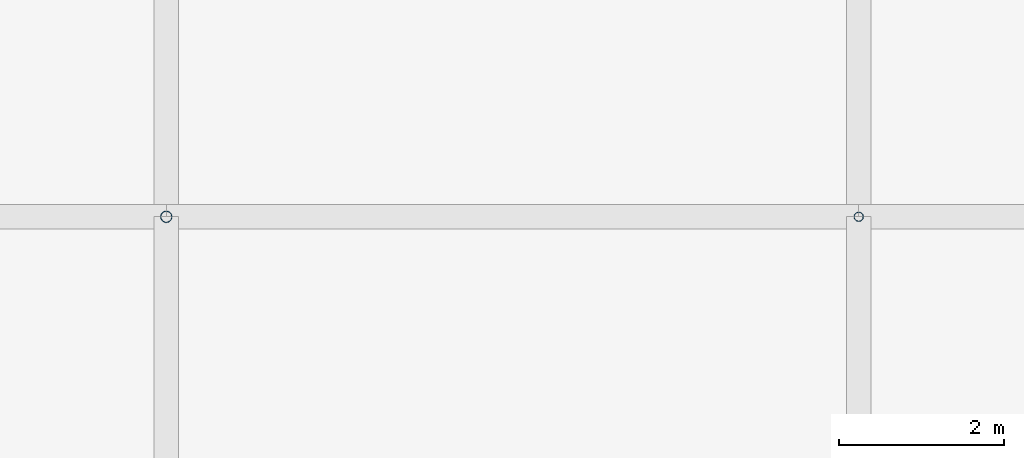
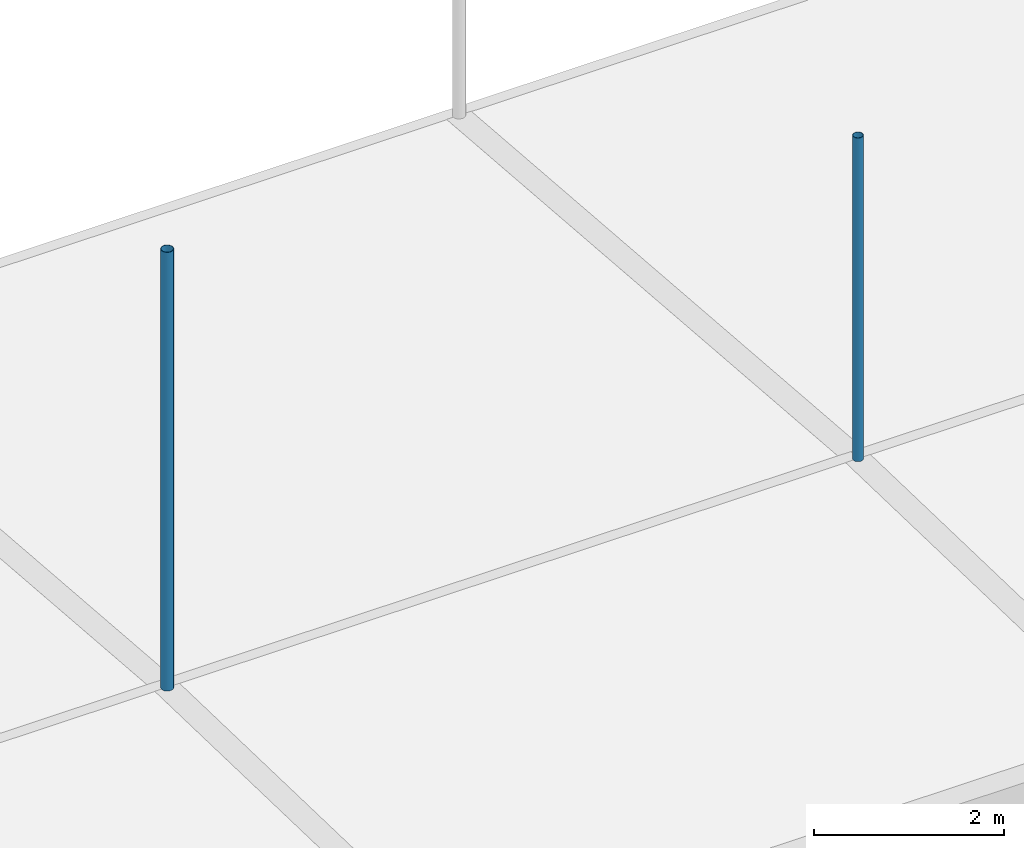
# One storey, part 23 of 37: 2 discrete accessories.
"""IFC4 building model written with IfcOpenShell, lengths in metres."""

from ifc_helpers import new_model, si_unit, direction, frame, origin, origin_2d, place, context, subcontext, project, spatial, hollow_circle, extrude, material, material_profile, profile_set, type_object, element, save


model = new_model("IFC4")

# Units and contexts
model_context = context("Model", 3, precision=1e-05, world=origin(), true_north=direction((0.0, 1.0)))
body_context = subcontext(model_context, "Body", "Model", "MODEL_VIEW")
ifc_project = project(units=[si_unit("LENGTHUNIT", "METRE"), si_unit("AREAUNIT", "SQUARE_METRE"), si_unit("VOLUMEUNIT", "CUBIC_METRE"), si_unit("PLANEANGLEUNIT", "RADIAN"), si_unit("MASSUNIT", "GRAM", prefix="KILO")], contexts=[model_context])

# Site, building, storey
site_placement = place(None, origin())
site = spatial("IfcSite", under=ifc_project, at=site_placement, CompositionType="ELEMENT")
building_placement = place(site_placement, origin())
building = spatial("IfcBuilding", under=site, at=building_placement, Name="Rain Tree Exposition and Congress Centre", CompositionType="ELEMENT")
storey_placement = place(building_placement, frame((0.0, 0.0, 25.0)))
storey = spatial("IfcBuildingStorey", under=building, at=storey_placement, Name="ROOF VAULT LOW", CompositionType="ELEMENT", Elevation=25.0)

# Discrete accessories
ifc_material_1 = material(Name="Steel S355J2H", Category="steel")
ifc_material_profile_1 = material_profile(ifc_material_1, hollow_circle(Radius=0.05712890625, WallThickness=0.00439453125, at=origin_2d()), Name="CHS 114x4.5")
ifc_profile_set_1 = profile_set([ifc_material_profile_1], Name="Steel S355J2H")
discrete_accessory_type_1 = type_object("IfcDiscreteAccessoryType", Name="Roof skin post CHS 114x4.5", PredefinedType="BRACKET", material=ifc_profile_set_1)
discrete_accessory_1_placement = place(storey_placement, frame((84.0, 159.60009765625, 1.1728515625), z_axis=(0.0, 0.0, 1.0), x_axis=(1.0, 0.0, 0.0)))
element("IfcDiscreteAccessory", 1, at=discrete_accessory_1_placement, inside=storey, type_object=discrete_accessory_type_1, Name="Roof skin post A115", PredefinedType="BRACKET", context=body_context, shape_type="SweptSolid", body=[
    extrude(hollow_circle(Radius=0.05712890625, WallThickness=0.00439453125, at=origin_2d()), origin(), (0.0, 0.0, 1.0), 4.16064453125),
])
ifc_material_2 = material(Name="Steel S355J2H", Category="steel")
ifc_material_profile_2 = material_profile(ifc_material_2, hollow_circle(Radius=0.06982421875, WallThickness=0.0048828125, at=origin_2d()), Name="CHS 140x5")
ifc_profile_set_2 = profile_set([ifc_material_profile_2], Name="Steel S355J2H")
discrete_accessory_type_2 = type_object("IfcDiscreteAccessoryType", Name="Roof skin post CHS 140x5", PredefinedType="BRACKET", material=ifc_profile_set_2)
discrete_accessory_2_placement = place(storey_placement, frame((75.60009765625, 159.60009765625, 1.1728515625), z_axis=(0.0, 0.0, 1.0), x_axis=(1.0, 0.0, 0.0)))
element("IfcDiscreteAccessory", 2, at=discrete_accessory_2_placement, inside=storey, type_object=discrete_accessory_type_2, Name="Roof skin post A114", PredefinedType="BRACKET", context=body_context, shape_type="SweptSolid", body=[
    extrude(hollow_circle(Radius=0.06982421875, WallThickness=0.0048828125, at=origin_2d()), origin(), (0.0, 0.0, 1.0), 5.640625),
])

save(model, "model.ifc")
